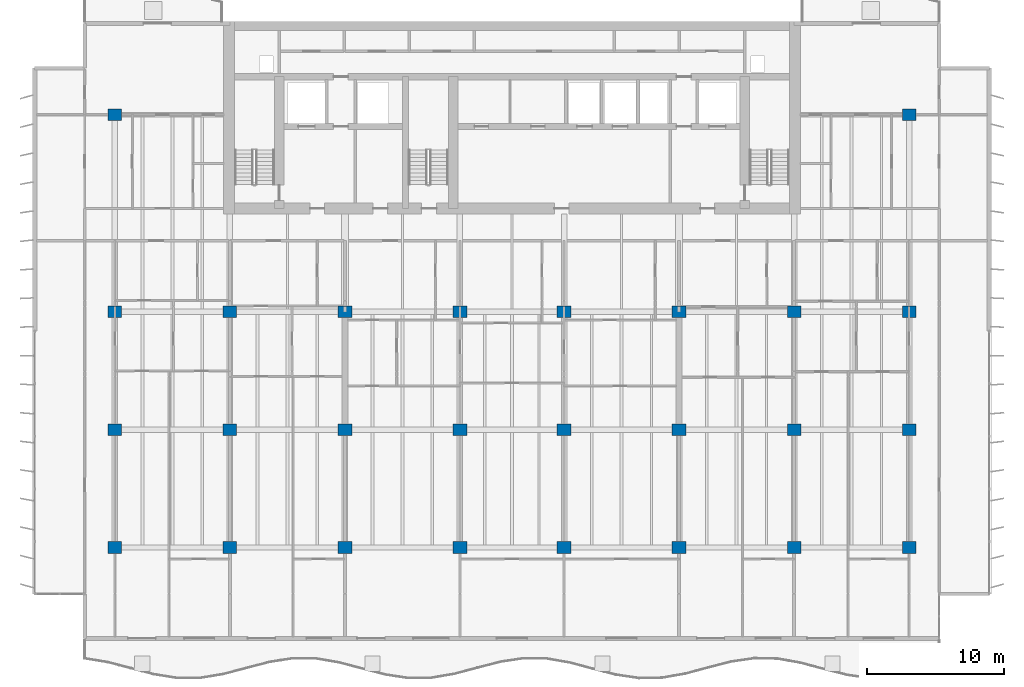
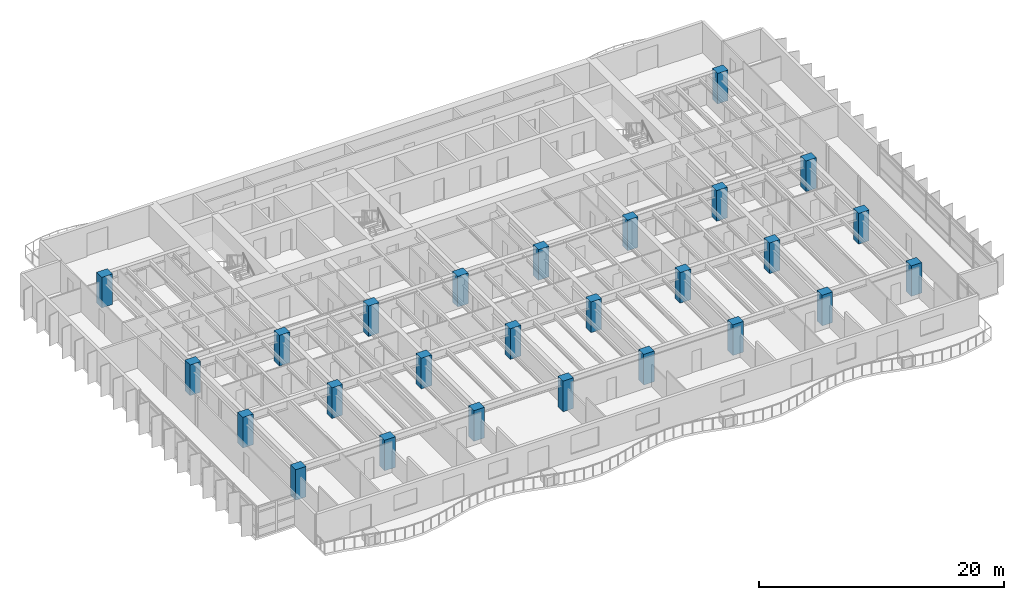
# One storey, part 1 of 17: 26 columns.
"""IFC4 building model written with IfcOpenShell, lengths in metres."""

from ifc_helpers import new_model, si_unit, direction, frame, origin, origin_2d, place, context, subcontext, project, spatial, rectangle, extrude, material, material_profile, profile_set, type_object, element, save


model = new_model("IFC4")

# Units and contexts
model_context = context("Model", 3, precision=1e-05, world=origin(), true_north=direction((0.0, 1.0)))
body_context = subcontext(model_context, "Body", "Model", "MODEL_VIEW")
ifc_project = project(units=[si_unit("LENGTHUNIT", "METRE"), si_unit("AREAUNIT", "SQUARE_METRE"), si_unit("VOLUMEUNIT", "CUBIC_METRE"), si_unit("PLANEANGLEUNIT", "RADIAN"), si_unit("MASSUNIT", "GRAM", prefix="KILO")], contexts=[model_context])

# Site, building, storey
site_placement = place(None, origin())
site = spatial("IfcSite", under=ifc_project, at=site_placement, CompositionType="ELEMENT")
building_placement = place(site_placement, origin())
building = spatial("IfcBuilding", under=site, at=building_placement, Name="Caelmar Bay Residences", CompositionType="ELEMENT")
storey_placement = place(building_placement, frame((0.0, 0.0, 109.199951171875)))
storey = spatial("IfcBuildingStorey", under=building, at=storey_placement, Name="L29", CompositionType="ELEMENT", Elevation=109.199951171875)

# Columns
ifc_material = material(Name="Concrete f'c 70 MPa (10,000 psi)", Category="concrete")
ifc_material_profile = material_profile(ifc_material, rectangle(XDim=1.0, YDim=0.85009765625, at=origin_2d()), Name="RC-COL-1000X850")
ifc_profile_set = profile_set([ifc_material_profile], Name="Concrete f'c 70 MPa (10,000 psi)")
column_type = type_object("IfcColumnType", Name="COL-RC-1000X850", PredefinedType="COLUMN", material=ifc_profile_set)
for number, where, z_axis, x_axis, name in (
    (1, (9.89990234375, 12.199951171875, 0.0), (0.0, 0.0, 1.0), (1.0, 0.0, 0.0), "L29 Column (9.90,12.20)"),
    (2, (18.300048828125, 12.199951171875, 0.0), (0.0, 0.0, 1.0), (1.0, 0.0, 0.0), "L29 Column (18.30,12.20)"),
    (3, (26.699951171875, 12.199951171875, 0.0), (0.0, 0.0, 1.0), (1.0, 0.0, 0.0), "L29 Column (26.70,12.20)"),
    (4, (35.10009765625, 12.199951171875, 0.0), (0.0, 0.0, 1.0), (1.0, 0.0, 0.0), "L29 Column (35.10,12.20)"),
    (5, (42.699951171875, 12.199951171875, 0.0), (0.0, 0.0, 1.0), (1.0, 0.0, 0.0), "L29 Column (42.70,12.20)"),
    (6, (51.10009765625, 12.199951171875, 0.0), (0.0, 0.0, 1.0), (1.0, 0.0, 0.0), "L29 Column (51.10,12.20)"),
    (7, (59.5, 12.199951171875, 0.0), (0.0, 0.0, 1.0), (1.0, 0.0, 0.0), "L29 Column (59.50,12.20)"),
    (8, (67.89990234375, 12.199951171875, 0.0), (0.0, 0.0, 1.0), (1.0, 0.0, 0.0), "L29 Column (67.90,12.20)"),
    (9, (9.89990234375, 20.800048828125, 0.0), (0.0, 0.0, 1.0), (1.0, 0.0, 0.0), "L29 Column (9.90,20.80)"),
    (10, (18.300048828125, 20.800048828125, 0.0), (0.0, 0.0, 1.0), (1.0, 0.0, 0.0), "L29 Column (18.30,20.80)"),
    (11, (26.699951171875, 20.800048828125, 0.0), (0.0, 0.0, 1.0), (1.0, 0.0, 0.0), "L29 Column (26.70,20.80)"),
    (12, (35.10009765625, 20.800048828125, 0.0), (0.0, 0.0, 1.0), (1.0, 0.0, 0.0), "L29 Column (35.10,20.80)"),
    (13, (42.699951171875, 20.800048828125, 0.0), (0.0, 0.0, 1.0), (1.0, 0.0, 0.0), "L29 Column (42.70,20.80)"),
    (14, (51.10009765625, 20.800048828125, 0.0), (0.0, 0.0, 1.0), (1.0, 0.0, 0.0), "L29 Column (51.10,20.80)"),
    (15, (59.5, 20.800048828125, 0.0), (0.0, 0.0, 1.0), (1.0, 0.0, 0.0), "L29 Column (59.50,20.80)"),
    (16, (67.89990234375, 20.800048828125, 0.0), (0.0, 0.0, 1.0), (1.0, 0.0, 0.0), "L29 Column (67.90,20.80)"),
    (17, (9.89990234375, 29.39990234375, 0.0), (0.0, 0.0, 1.0), (1.0, 0.0, 0.0), "L29 Column (9.90,29.40)"),
    (18, (18.300048828125, 29.39990234375, 0.0), (0.0, 0.0, 1.0), (1.0, 0.0, 0.0), "L29 Column (18.30,29.40)"),
    (19, (26.699951171875, 29.39990234375, 0.0), (0.0, 0.0, 1.0), (1.0, 0.0, 0.0), "L29 Column (26.70,29.40)"),
    (20, (35.10009765625, 29.39990234375, 0.0), (0.0, 0.0, 1.0), (1.0, 0.0, 0.0), "L29 Column (35.10,29.40)"),
    (21, (42.699951171875, 29.39990234375, 0.0), (0.0, 0.0, 1.0), (1.0, 0.0, 0.0), "L29 Column (42.70,29.40)"),
    (22, (51.10009765625, 29.39990234375, 0.0), (0.0, 0.0, 1.0), (1.0, 0.0, 0.0), "L29 Column (51.10,29.40)"),
    (23, (59.5, 29.39990234375, 0.0), (0.0, 0.0, 1.0), (1.0, 0.0, 0.0), "L29 Column (59.50,29.40)"),
    (24, (67.89990234375, 29.39990234375, 0.0), (0.0, 0.0, 1.0), (1.0, 0.0, 0.0), "L29 Column (67.90,29.40)"),
    (25, (9.89990234375, 43.800048828125, 0.0), (0.0, 0.0, 1.0), (1.0, 0.0, 0.0), "L29 Column (9.90,43.80)"),
    (26, (67.89990234375, 43.800048828125, 0.0), (0.0, 0.0, 1.0), (1.0, 0.0, 0.0), "L29 Column (67.90,43.80)"),
):
    element("IfcColumn", number, at=place(storey_placement, frame(where, z_axis=z_axis, x_axis=x_axis)), inside=storey, type_object=column_type, Name=name, PredefinedType="COLUMN", context=body_context, shape_type="SweptSolid", body=[
        extrude(rectangle(XDim=1.0, YDim=0.85009765625, at=origin_2d()), origin(), (0.0, 0.0, 1.0), 3.050048828125),
    ])

save(model, "model.ifc")
